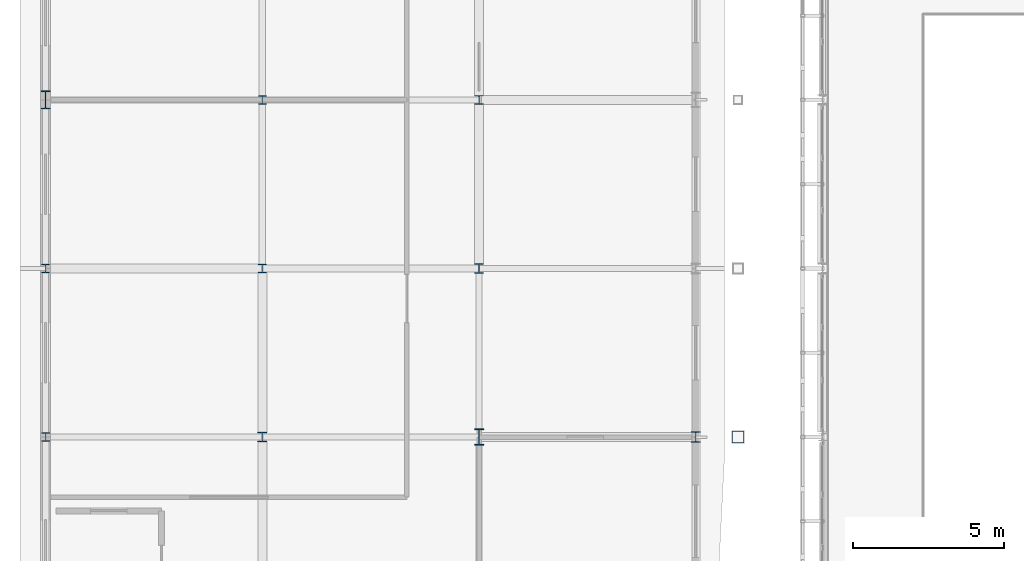
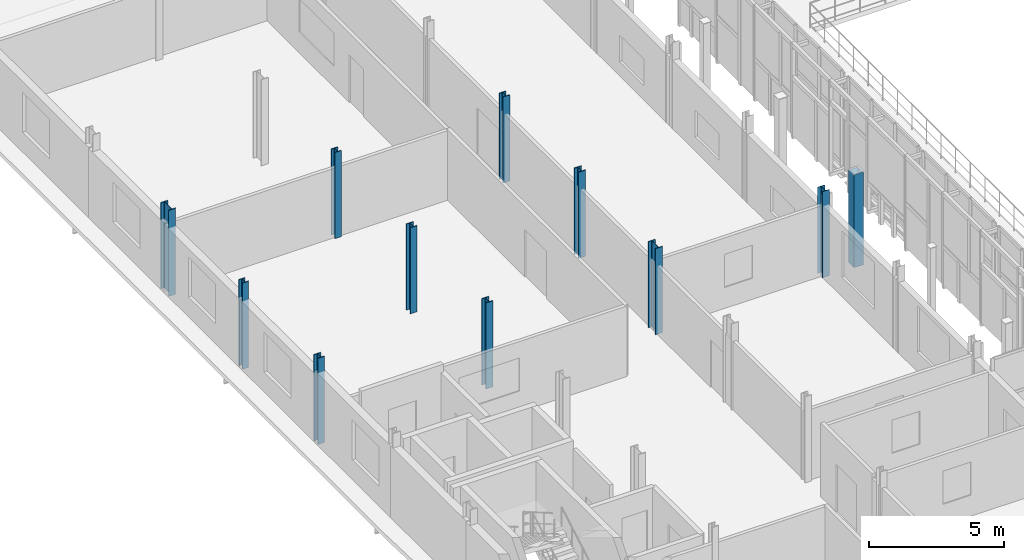
# One storey, part 5 of 78: 11 columns.
"""IFC4 building model written with IfcOpenShell, lengths in metres."""

from ifc_helpers import new_model, si_unit, direction, frame, origin, origin_2d, place, context, subcontext, project, spatial, hollow_rectangle, i_section, extrude, material, material_profile, profile_set, type_object, element, save


model = new_model("IFC4")

# Units and contexts
model_context = context("Model", 3, precision=1e-05, world=origin(), true_north=direction((0.0, 1.0)))
body_context = subcontext(model_context, "Body", "Model", "MODEL_VIEW")
ifc_project = project(units=[si_unit("LENGTHUNIT", "METRE"), si_unit("AREAUNIT", "SQUARE_METRE"), si_unit("VOLUMEUNIT", "CUBIC_METRE"), si_unit("PLANEANGLEUNIT", "RADIAN"), si_unit("MASSUNIT", "GRAM", prefix="KILO")], contexts=[model_context])

# Site, building, storey
site_placement = place(None, origin())
site = spatial("IfcSite", under=ifc_project, at=site_placement, CompositionType="ELEMENT")
building_placement = place(site_placement, origin())
building = spatial("IfcBuilding", under=site, at=building_placement, Name="Vinh Khe Railworks Police Headquarters", CompositionType="ELEMENT")
storey_placement = place(building_placement, frame((0.0, 0.0, 13.199951171875)))
storey = spatial("IfcBuildingStorey", under=building, at=storey_placement, Name="L03", CompositionType="ELEMENT", Elevation=13.199951171875)

# Columns
ifc_material = material(Name="Steel S355JR", Category="steel")
ifc_material_profile_1 = material_profile(ifc_material, i_section(OverallWidth=0.300048828125, OverallDepth=0.360107421875, WebThickness=0.012451171875, FlangeThickness=0.0224609375, FilletRadius=0.027099609375, at=origin_2d()), Name="HEB 360")
ifc_profile_set_1 = profile_set([ifc_material_profile_1], Name="Steel S355JR")
column_type_1 = type_object("IfcColumnType", Name="Steel Column HEB 360", PredefinedType="COLUMN", material=ifc_profile_set_1)
column_1_placement = place(storey_placement, frame((22.199951171875, 42.0, 0.0), z_axis=(0.0, 0.0, 1.0), x_axis=(1.0, 0.0, 0.0)))
element("IfcColumn", 1, at=column_1_placement, inside=storey, type_object=column_type_1, Name="Column COL-L03-SC-09-0548", PredefinedType="COLUMN", context=body_context, shape_type="SweptSolid", body=[
    extrude(i_section(OverallWidth=0.300048828125, OverallDepth=0.360107421875, WebThickness=0.012451171875, FlangeThickness=0.0224609375, FilletRadius=0.027099609375, at=origin_2d()), origin(), (0.0, 0.0, 1.0), 3.900146484375),
])
ifc_material_profile_2 = material_profile(ifc_material, i_section(OverallWidth=0.300048828125, OverallDepth=0.550048828125, WebThickness=0.014892578125, FlangeThickness=0.029052734375, FilletRadius=0.027099609375, at=origin_2d()), Name="HEB 550")
ifc_profile_set_2 = profile_set([ifc_material_profile_2], Name="Steel S355JR")
column_type_2 = type_object("IfcColumnType", Name="Steel Column HEB 550", PredefinedType="COLUMN", material=ifc_profile_set_2)
column_2_placement = place(storey_placement, frame((15.0, 42.0, 0.0), z_axis=(0.0, 0.0, 1.0), x_axis=(1.0, 0.0, 0.0)))
element("IfcColumn", 2, at=column_2_placement, inside=storey, type_object=column_type_2, Name="Column COL-L03-SC-05-0385", PredefinedType="COLUMN", context=body_context, shape_type="SweptSolid", body=[
    extrude(i_section(OverallWidth=0.300048828125, OverallDepth=0.550048828125, WebThickness=0.014892578125, FlangeThickness=0.029052734375, FilletRadius=0.027099609375, at=origin_2d()), origin(), (0.0, 0.0, 1.0), 3.900146484375),
])
ifc_material_profile_3 = material_profile(ifc_material, i_section(OverallWidth=0.300048828125, OverallDepth=0.60009765625, WebThickness=0.015380859375, FlangeThickness=0.030029296875, FilletRadius=0.027099609375, at=origin_2d()), Name="HEB 600")
ifc_profile_set_3 = profile_set([ifc_material_profile_3], Name="Steel S355JR")
column_type_3 = type_object("IfcColumnType", Name="Steel Column HEB 600", PredefinedType="COLUMN", material=ifc_profile_set_3)
column_3_placement = place(storey_placement, frame((0.60009765625, 53.199951171875, 0.0), z_axis=(0.0, 0.0, 1.0), x_axis=(1.0, 0.0, 0.0)))
element("IfcColumn", 3, at=column_3_placement, inside=storey, type_object=column_type_3, Name="Column COL-L03-SC-04-0071", PredefinedType="COLUMN", context=body_context, shape_type="SweptSolid", body=[
    extrude(i_section(OverallWidth=0.300048828125, OverallDepth=0.60009765625, WebThickness=0.015380859375, FlangeThickness=0.030029296875, FilletRadius=0.027099609375, at=origin_2d()), origin(), (0.0, 0.0, 1.0), 3.900146484375),
])
ifc_material_profile_4 = material_profile(ifc_material, i_section(OverallWidth=0.26806640625, OverallDepth=0.2900390625, WebThickness=0.01806640625, FlangeThickness=0.032470703125, FilletRadius=0.02392578125, at=origin_2d()), Name="HEM 260")
ifc_profile_set_4 = profile_set([ifc_material_profile_4], Name="Steel S355JR")
column_type_4 = type_object("IfcColumnType", Name="Steel Column HEM 260", PredefinedType="COLUMN", material=ifc_profile_set_4)
for number, where, z_axis, x_axis, name in (
    (4, (0.60009765625, 47.60009765625, 0.0), (0.0, 0.0, 1.0), (1.0, 0.0, 0.0), "Column COL-L03-SC-03-0061"),
    (5, (7.800048828125, 53.199951171875, 0.0), (0.0, 0.0, 1.0), (1.0, 0.0, 0.0), "Column COL-L03-SC-03-0238"),
):
    element("IfcColumn", number, at=place(storey_placement, frame(where, z_axis=z_axis, x_axis=x_axis)), inside=storey, type_object=column_type_4, Name=name, PredefinedType="COLUMN", context=body_context, shape_type="SweptSolid", body=[
        extrude(i_section(OverallWidth=0.26806640625, OverallDepth=0.2900390625, WebThickness=0.01806640625, FlangeThickness=0.032470703125, FilletRadius=0.02392578125, at=origin_2d()), origin(), (0.0, 0.0, 1.0), 3.900146484375),
    ])
ifc_material_profile_5 = material_profile(ifc_material, i_section(OverallWidth=0.2880859375, OverallDepth=0.31005859375, WebThickness=0.0185546875, FlangeThickness=0.032958984375, FilletRadius=0.02392578125, at=origin_2d()), Name="HEM 280")
ifc_profile_set_5 = profile_set([ifc_material_profile_5], Name="Steel S355JR")
column_type_5 = type_object("IfcColumnType", Name="Steel Column HEM 280", PredefinedType="COLUMN", material=ifc_profile_set_5)
for number, where, z_axis, x_axis, name in (
    (6, (0.60009765625, 42.0, 0.0), (0.0, 0.0, 1.0), (1.0, 0.0, 0.0), "Column COL-L03-SC-02-0051"),
    (7, (7.800048828125, 47.60009765625, 0.0), (0.0, 0.0, 1.0), (1.0, 0.0, 0.0), "Column COL-L03-SC-02-0228"),
    (8, (15.0, 53.199951171875, 0.0), (0.0, 0.0, 1.0), (1.0, 0.0, 0.0), "Column COL-L03-SC-02-0405"),
):
    element("IfcColumn", number, at=place(storey_placement, frame(where, z_axis=z_axis, x_axis=x_axis)), inside=storey, type_object=column_type_5, Name=name, PredefinedType="COLUMN", context=body_context, shape_type="SweptSolid", body=[
        extrude(i_section(OverallWidth=0.2880859375, OverallDepth=0.31005859375, WebThickness=0.0185546875, FlangeThickness=0.032958984375, FilletRadius=0.02392578125, at=origin_2d()), origin(), (0.0, 0.0, 1.0), 3.900146484375),
    ])
ifc_material_profile_6 = material_profile(ifc_material, i_section(OverallWidth=0.31005859375, OverallDepth=0.340087890625, WebThickness=0.02099609375, FlangeThickness=0.0390625, FilletRadius=0.027099609375, at=origin_2d()), Name="HEM 300")
ifc_profile_set_6 = profile_set([ifc_material_profile_6], Name="Steel S355JR")
column_type_6 = type_object("IfcColumnType", Name="Steel Column HEM 300", PredefinedType="COLUMN", material=ifc_profile_set_6)
for number, where, z_axis, x_axis, name in (
    (9, (7.800048828125, 42.0, 0.0), (0.0, 0.0, 1.0), (1.0, 0.0, 0.0), "Column COL-L03-SC-01-0218"),
    (10, (15.0, 47.60009765625, 0.0), (0.0, 0.0, 1.0), (1.0, 0.0, 0.0), "Column COL-L03-SC-01-0395"),
):
    element("IfcColumn", number, at=place(storey_placement, frame(where, z_axis=z_axis, x_axis=x_axis)), inside=storey, type_object=column_type_6, Name=name, PredefinedType="COLUMN", context=body_context, shape_type="SweptSolid", body=[
        extrude(i_section(OverallWidth=0.31005859375, OverallDepth=0.340087890625, WebThickness=0.02099609375, FlangeThickness=0.0390625, FilletRadius=0.027099609375, at=origin_2d()), origin(), (0.0, 0.0, 1.0), 3.900146484375),
    ])
ifc_material_profile_7 = material_profile(ifc_material, hollow_rectangle(XDim=0.39990234375, YDim=0.39990234375, WallThickness=0.02001953125, at=origin_2d()), Name="SHS 400x400x20")
ifc_profile_set_7 = profile_set([ifc_material_profile_7], Name="Steel S355JR")
column_type_7 = type_object("IfcColumnType", Name="Steel Column SHS 400x400x20", PredefinedType="COLUMN", material=ifc_profile_set_7)
column_4_placement = place(storey_placement, frame((23.60009765625, 42.0, 0.0), z_axis=(0.0, 0.0, 1.0), x_axis=(1.0, 0.0, 0.0)))
element("IfcColumn", 11, at=column_4_placement, inside=storey, type_object=column_type_7, Name="Column COL-L03-SC-21-0679", PredefinedType="COLUMN", context=body_context, shape_type="SweptSolid", body=[
    extrude(hollow_rectangle(XDim=0.39990234375, YDim=0.39990234375, WallThickness=0.02001953125, at=origin_2d()), origin(), (0.0, 0.0, 1.0), 4.199951171875),
])

save(model, "model.ifc")
